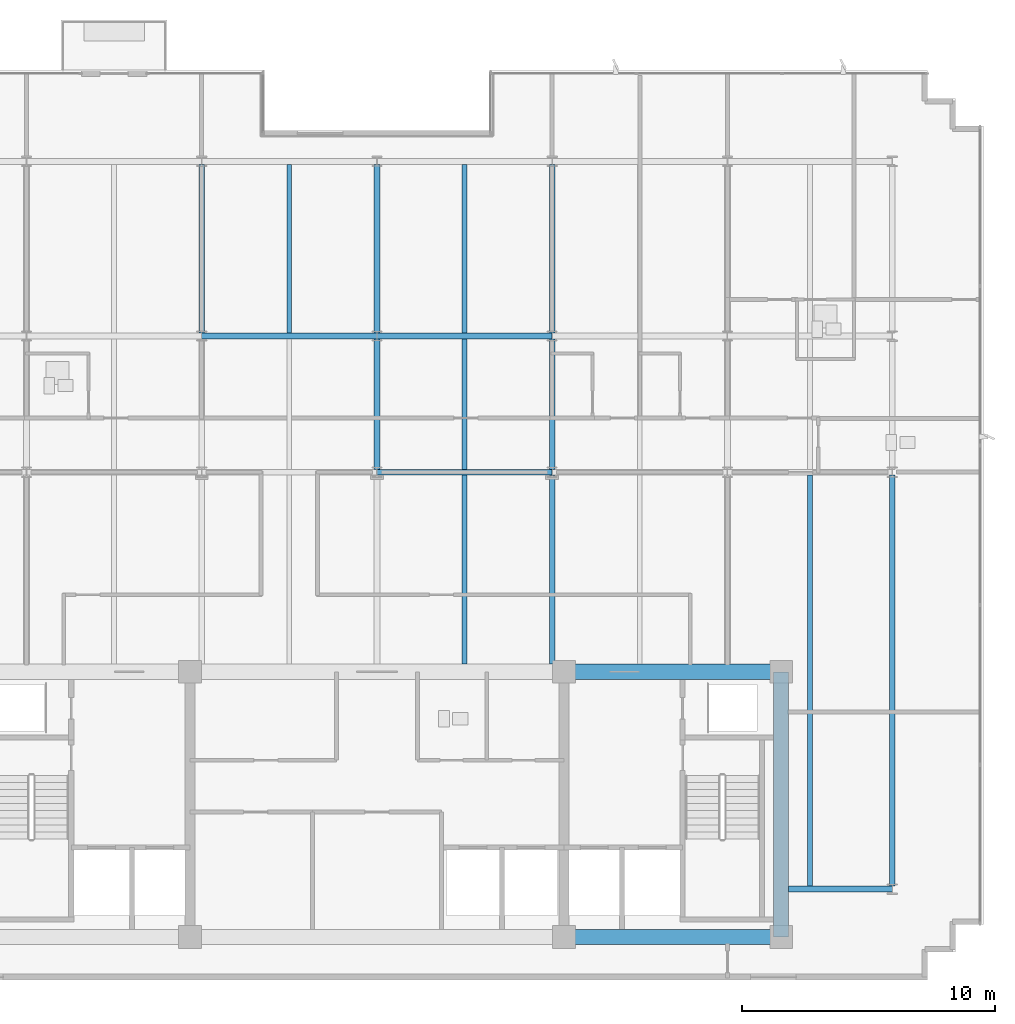
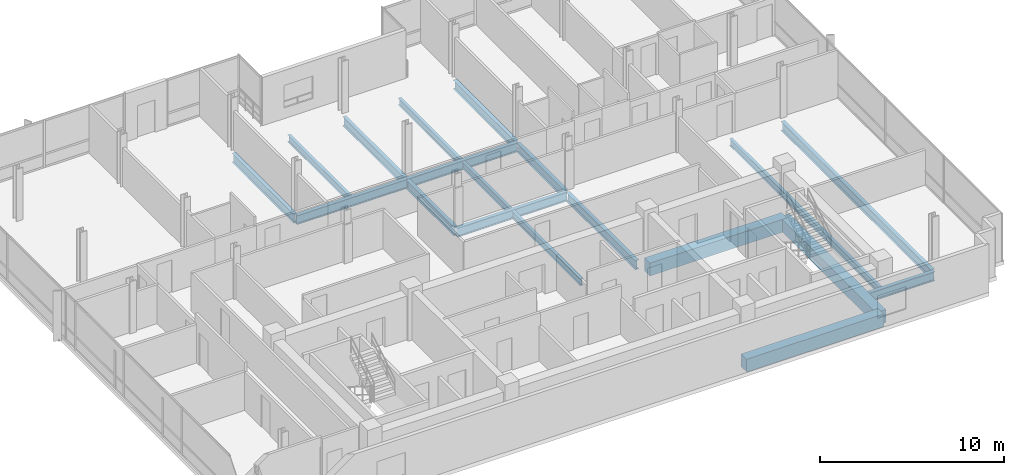
# One storey, part 5 of 17: 19 beams.
"""IFC4 building model written with IfcOpenShell, lengths in metres."""

from ifc_helpers import new_model, si_unit, direction, frame, origin, origin_2d, place, context, subcontext, project, spatial, rectangle, i_section, extrude, material, material_profile, profile_set, type_object, element, save


model = new_model("IFC4")

# Units and contexts
model_context = context("Model", 3, precision=1e-05, world=origin(), true_north=direction((0.0, 1.0)))
body_context = subcontext(model_context, "Body", "Model", "MODEL_VIEW")
ifc_project = project(units=[si_unit("LENGTHUNIT", "METRE"), si_unit("AREAUNIT", "SQUARE_METRE"), si_unit("VOLUMEUNIT", "CUBIC_METRE"), si_unit("PLANEANGLEUNIT", "RADIAN"), si_unit("MASSUNIT", "GRAM", prefix="KILO")], contexts=[model_context])

# Site, building, storey
site_placement = place(None, origin())
site = spatial("IfcSite", under=ifc_project, at=site_placement, CompositionType="ELEMENT")
building_placement = place(site_placement, origin())
building = spatial("IfcBuilding", under=site, at=building_placement, Name="Solmavex Isthmus Hotel", CompositionType="ELEMENT")
storey_placement = place(building_placement, frame((0.0, 0.0, 269.550048828125)))
storey = spatial("IfcBuildingStorey", under=building, at=storey_placement, Name="L73", CompositionType="ELEMENT", Elevation=269.550048828125)

# Beams
ifc_material_1 = material(Name="Steel ASTM A992 Grade 50", Category="steel")
ifc_material_profile_1 = material_profile(ifc_material_1, i_section(OverallWidth=0.1904296875, OverallDepth=0.456787109375, WebThickness=0.009033203125, FlangeThickness=0.014404296875, FilletRadius=0.0126953125, at=origin_2d()), Name="W18X50")
ifc_profile_set_1 = profile_set([ifc_material_profile_1], Name="Steel ASTM A992 Grade 50")
beam_type_1 = type_object("IfcBeamType", Name="BM-BJ-W18X50", PredefinedType="JOIST", material=ifc_profile_set_1)
beam_1_placement = place(storey_placement, frame((-3.468017578125, 10.90185546875, -0.488525390625), z_axis=(0.0, 1.0, 0.0), x_axis=(-1.0, 0.0, 0.0)))
element("IfcBeam", 1, at=beam_1_placement, inside=storey, type_object=beam_type_1, Name="Secondary Floor Joist L73-J09", PredefinedType="JOIST", context=body_context, shape_type="SweptSolid", body=[
    extrude(i_section(OverallWidth=0.1904296875, OverallDepth=0.456787109375, WebThickness=0.009033203125, FlangeThickness=0.014404296875, FilletRadius=0.0126953125, at=origin_2d()), origin(), (0.0, 0.0, 1.0), 6.682861328125),
])
beam_2_placement = place(storey_placement, frame((3.468017578125, -2.199951171875, -0.488525390625), z_axis=(0.0, 1.0, 0.0), x_axis=(-1.0, 0.0, 0.0)))
element("IfcBeam", 2, at=beam_2_placement, inside=storey, type_object=beam_type_1, Name="Secondary Floor Joist L73-J10", PredefinedType="JOIST", context=body_context, shape_type="SweptSolid", body=[
    extrude(i_section(OverallWidth=0.1904296875, OverallDepth=0.456787109375, WebThickness=0.009033203125, FlangeThickness=0.014404296875, FilletRadius=0.0126953125, at=origin_2d()), origin(), (0.0, 0.0, 1.0), 7.486083984375),
])
beam_3_placement = place(storey_placement, frame((3.468017578125, 5.513916015625, -0.488525390625), z_axis=(0.0, 1.0, 0.0), x_axis=(-1.0, 0.0, 0.0)))
element("IfcBeam", 3, at=beam_3_placement, inside=storey, type_object=beam_type_1, Name="Secondary Floor Joist L73-J11", PredefinedType="JOIST", context=body_context, shape_type="SweptSolid", body=[
    extrude(i_section(OverallWidth=0.1904296875, OverallDepth=0.456787109375, WebThickness=0.009033203125, FlangeThickness=0.014404296875, FilletRadius=0.0126953125, at=origin_2d()), origin(), (0.0, 0.0, 1.0), 5.16015625),
])
beam_4_placement = place(storey_placement, frame((3.468017578125, 10.90185546875, -0.488525390625), z_axis=(0.0, 1.0, 0.0), x_axis=(-1.0, 0.0, 0.0)))
element("IfcBeam", 4, at=beam_4_placement, inside=storey, type_object=beam_type_1, Name="Secondary Floor Joist L73-J12", PredefinedType="JOIST", context=body_context, shape_type="SweptSolid", body=[
    extrude(i_section(OverallWidth=0.1904296875, OverallDepth=0.456787109375, WebThickness=0.009033203125, FlangeThickness=0.014404296875, FilletRadius=0.0126953125, at=origin_2d()), origin(), (0.0, 0.0, 1.0), 6.682861328125),
])
beam_5_placement = place(storey_placement, frame((17.135986328125, -10.98486328125, -0.488525390625), z_axis=(0.0, 1.0, 0.0), x_axis=(-1.0, 0.0, 0.0)))
element("IfcBeam", 5, at=beam_5_placement, inside=storey, type_object=beam_type_1, Name="Secondary Floor Joist L73-J16", PredefinedType="JOIST", context=body_context, shape_type="SweptSolid", body=[
    extrude(i_section(OverallWidth=0.1904296875, OverallDepth=0.456787109375, WebThickness=0.009033203125, FlangeThickness=0.014404296875, FilletRadius=0.0126953125, at=origin_2d()), origin(), (0.0, 0.0, 1.0), 16.27099609375),
])
ifc_material_profile_2 = material_profile(ifc_material_1, i_section(OverallWidth=0.227783203125, OverallDepth=0.602783203125, WebThickness=0.010498046875, FlangeThickness=0.014892578125, FilletRadius=0.01513671875, at=origin_2d()), Name="W24X68")
ifc_profile_set_2 = profile_set([ifc_material_profile_2], Name="Steel ASTM A992 Grade 50")
beam_type_2 = type_object("IfcBeamType", Name="BM-BM-W24X68", PredefinedType="BEAM", material=ifc_profile_set_2)
for number, where, z_axis, x_axis, name in (
    (6, (0.0, 5.39990234375, -0.561279296875), (1.0, 0.0, 0.0), (0.0, 1.0, 0.0), "Floor Girder L73-UG06"),
    (7, (-6.93603515625, 10.7880859375, -0.561279296875), (1.0, 0.0, 0.0), (0.0, 1.0, 0.0), "Floor Girder L73-UG11"),
    (8, (0.0, 10.7880859375, -0.561279296875), (1.0, 0.0, 0.0), (0.0, 1.0, 0.0), "Floor Girder L73-UG12"),
):
    element("IfcBeam", number, at=place(storey_placement, frame(where, z_axis=z_axis, x_axis=x_axis)), inside=storey, type_object=beam_type_2, Name=name, PredefinedType="BEAM", context=body_context, shape_type="SweptSolid", body=[
        extrude(i_section(OverallWidth=0.227783203125, OverallDepth=0.602783203125, WebThickness=0.010498046875, FlangeThickness=0.014892578125, FilletRadius=0.01513671875, at=origin_2d()), origin(), (0.0, 0.0, 1.0), 6.93603515625),
    ])
beam_6_placement = place(storey_placement, frame((-6.93603515625, 10.90185546875, -0.561279296875), z_axis=(0.0, 1.0, 0.0), x_axis=(-1.0, 0.0, 0.0)))
element("IfcBeam", 9, at=beam_6_placement, inside=storey, type_object=beam_type_2, Name="Floor Beam L73-VG29", PredefinedType="BEAM", context=body_context, shape_type="SweptSolid", body=[
    extrude(i_section(OverallWidth=0.227783203125, OverallDepth=0.602783203125, WebThickness=0.010498046875, FlangeThickness=0.014892578125, FilletRadius=0.01513671875, at=origin_2d()), origin(), (0.0, 0.0, 1.0), 6.682861328125),
])
beam_7_placement = place(storey_placement, frame((0.0, 5.513916015625, -0.561279296875), z_axis=(0.0, 1.0, 0.0), x_axis=(-1.0, 0.0, 0.0)))
element("IfcBeam", 10, at=beam_7_placement, inside=storey, type_object=beam_type_2, Name="Floor Beam L73-VG31", PredefinedType="BEAM", context=body_context, shape_type="SweptSolid", body=[
    extrude(i_section(OverallWidth=0.227783203125, OverallDepth=0.602783203125, WebThickness=0.010498046875, FlangeThickness=0.014892578125, FilletRadius=0.01513671875, at=origin_2d()), origin(), (0.0, 0.0, 1.0), 5.16015625),
])
beam_8_placement = place(storey_placement, frame((0.0, 10.90185546875, -0.561279296875), z_axis=(0.0, 1.0, 0.0), x_axis=(-1.0, 0.0, 0.0)))
element("IfcBeam", 11, at=beam_8_placement, inside=storey, type_object=beam_type_2, Name="Floor Beam L73-VG32", PredefinedType="BEAM", context=body_context, shape_type="SweptSolid", body=[
    extrude(i_section(OverallWidth=0.227783203125, OverallDepth=0.602783203125, WebThickness=0.010498046875, FlangeThickness=0.014892578125, FilletRadius=0.01513671875, at=origin_2d()), origin(), (0.0, 0.0, 1.0), 6.682861328125),
])
beam_9_placement = place(storey_placement, frame((6.93603515625, -2.199951171875, -0.561279296875), z_axis=(0.0, 1.0, 0.0), x_axis=(-1.0, 0.0, 0.0)))
element("IfcBeam", 12, at=beam_9_placement, inside=storey, type_object=beam_type_2, Name="Floor Beam L73-VG33", PredefinedType="BEAM", context=body_context, shape_type="SweptSolid", body=[
    extrude(i_section(OverallWidth=0.227783203125, OverallDepth=0.602783203125, WebThickness=0.010498046875, FlangeThickness=0.014892578125, FilletRadius=0.01513671875, at=origin_2d()), origin(), (0.0, 0.0, 1.0), 7.486083984375),
])
beam_10_placement = place(storey_placement, frame((6.93603515625, 5.513916015625, -0.561279296875), z_axis=(0.0, 1.0, 0.0), x_axis=(-1.0, 0.0, 0.0)))
element("IfcBeam", 13, at=beam_10_placement, inside=storey, type_object=beam_type_2, Name="Floor Beam L73-VG34", PredefinedType="BEAM", context=body_context, shape_type="SweptSolid", body=[
    extrude(i_section(OverallWidth=0.227783203125, OverallDepth=0.602783203125, WebThickness=0.010498046875, FlangeThickness=0.014892578125, FilletRadius=0.01513671875, at=origin_2d()), origin(), (0.0, 0.0, 1.0), 5.16015625),
])
beam_11_placement = place(storey_placement, frame((6.93603515625, 10.90185546875, -0.561279296875), z_axis=(0.0, 1.0, 0.0), x_axis=(-1.0, 0.0, 0.0)))
element("IfcBeam", 14, at=beam_11_placement, inside=storey, type_object=beam_type_2, Name="Floor Beam L73-VG35", PredefinedType="BEAM", context=body_context, shape_type="SweptSolid", body=[
    extrude(i_section(OverallWidth=0.227783203125, OverallDepth=0.602783203125, WebThickness=0.010498046875, FlangeThickness=0.014892578125, FilletRadius=0.01513671875, at=origin_2d()), origin(), (0.0, 0.0, 1.0), 6.682861328125),
])
ifc_material_2 = material(Name="Concrete C50/60", Category="concrete")
ifc_material_profile_3 = material_profile(ifc_material_2, rectangle(XDim=0.60009765625, YDim=0.85009765625, at=origin_2d()), Name="RC600X850")
ifc_profile_set_3 = profile_set([ifc_material_profile_3], Name="Concrete C50/60")
beam_type_3 = type_object("IfcBeamType", Name="BM-CB-600X850", PredefinedType="BEAM", material=ifc_profile_set_3)
for number, where, z_axis, x_axis, name in (
    (15, (7.39990234375, -13.0, -0.68505859375), (1.0, 0.0, 0.0), (0.0, 1.0, 0.0), "Core Coupling Beam L73-CB3"),
    (16, (7.39990234375, -2.5, -0.68505859375), (1.0, 0.0, 0.0), (0.0, 1.0, 0.0), "Core Coupling Beam L73-CB6"),
):
    element("IfcBeam", number, at=place(storey_placement, frame(where, z_axis=z_axis, x_axis=x_axis)), inside=storey, type_object=beam_type_3, Name=name, PredefinedType="BEAM", context=body_context, shape_type="SweptSolid", body=[
        extrude(rectangle(XDim=0.60009765625, YDim=0.85009765625, at=origin_2d()), origin(), (0.0, 0.0, 1.0), 8.60009765625),
    ])
beam_12_placement = place(storey_placement, frame((16.0, -13.0, -0.68505859375), z_axis=(0.0, 1.0, 0.0), x_axis=(-1.0, 0.0, 0.0)))
element("IfcBeam", 17, at=beam_12_placement, inside=storey, type_object=beam_type_3, Name="Core Coupling Beam L73-CB8", PredefinedType="BEAM", context=body_context, shape_type="SweptSolid", body=[
    extrude(rectangle(XDim=0.60009765625, YDim=0.85009765625, at=origin_2d()), origin(), (0.0, 0.0, 1.0), 10.5),
])
ifc_material_profile_4 = material_profile(ifc_material_1, i_section(OverallWidth=0.230224609375, OverallDepth=0.617431640625, WebThickness=0.01318359375, FlangeThickness=0.022216796875, FilletRadius=0.01513671875, at=origin_2d()), Name="W24X94")
ifc_profile_set_4 = profile_set([ifc_material_profile_4], Name="Steel ASTM A992 Grade 50")
beam_type_4 = type_object("IfcBeamType", Name="BM-SP-W24X94", PredefinedType="SPANDREL", material=ifc_profile_set_4)
beam_13_placement = place(storey_placement, frame((16.300048828125, -11.10009765625, -0.56884765625), z_axis=(1.0, 0.0, 0.0), x_axis=(0.0, 1.0, 0.0)))
element("IfcBeam", 18, at=beam_13_placement, inside=storey, type_object=beam_type_4, Name="Floor Girder L73-UG02", PredefinedType="SPANDREL", context=body_context, shape_type="SweptSolid", body=[
    extrude(i_section(OverallWidth=0.230224609375, OverallDepth=0.617431640625, WebThickness=0.01318359375, FlangeThickness=0.022216796875, FilletRadius=0.01513671875, at=origin_2d()), origin(), (0.0, 0.0, 1.0), 4.099853515625),
])
beam_14_placement = place(storey_placement, frame((20.39990234375, -10.98486328125, -0.56884765625), z_axis=(0.0, 1.0, 0.0), x_axis=(-1.0, 0.0, 0.0)))
element("IfcBeam", 19, at=beam_14_placement, inside=storey, type_object=beam_type_4, Name="Floor Beam L73-VG39", PredefinedType="SPANDREL", context=body_context, shape_type="SweptSolid", body=[
    extrude(i_section(OverallWidth=0.230224609375, OverallDepth=0.617431640625, WebThickness=0.01318359375, FlangeThickness=0.022216796875, FilletRadius=0.01513671875, at=origin_2d()), origin(), (0.0, 0.0, 1.0), 16.27099609375),
])

save(model, "model.ifc")
